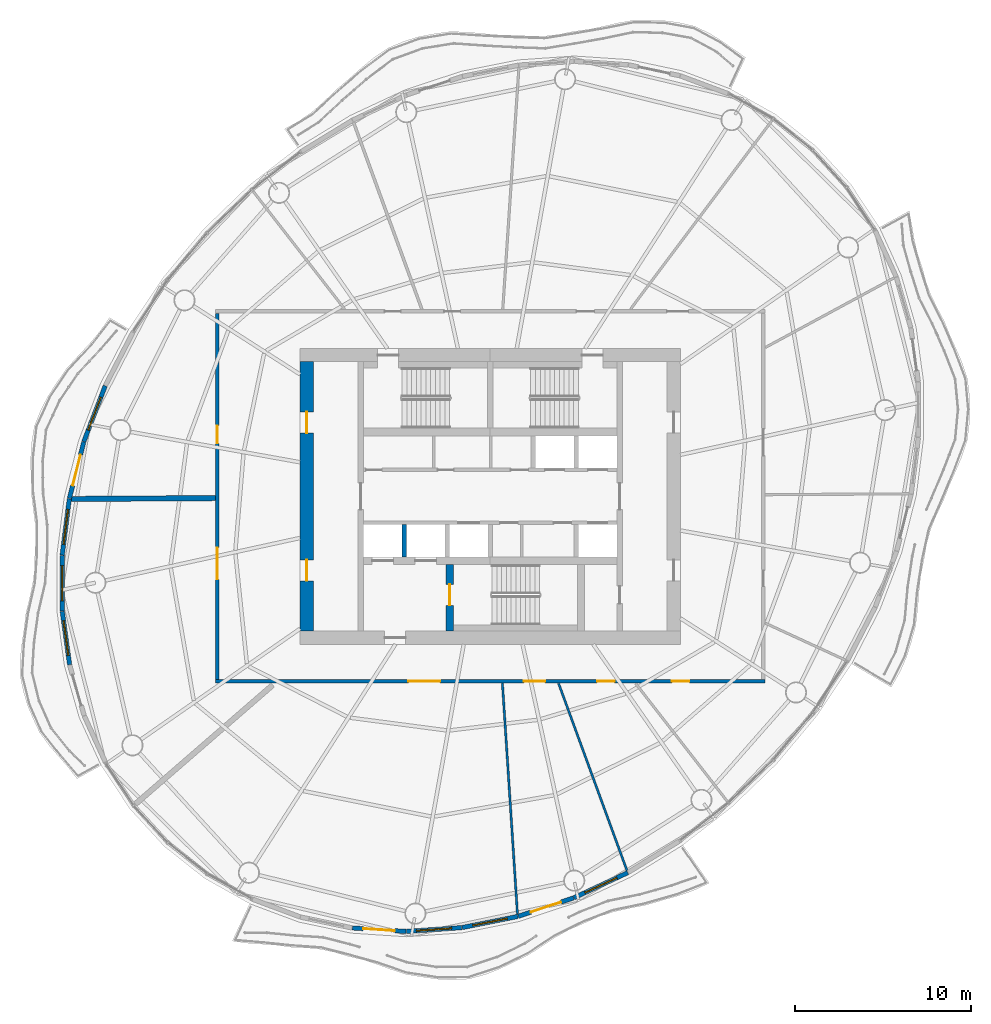
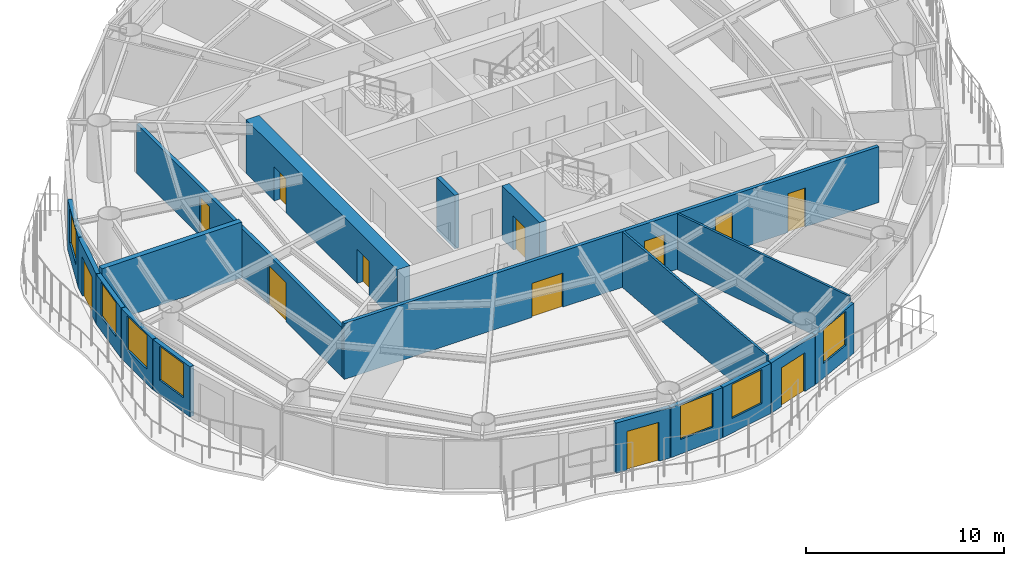
# One storey, part 8 of 15: 18 walls, 12 doors, 7 windows, 19 openings.
"""IFC4 building model written with IfcOpenShell, lengths in metres."""

from ifc_helpers import new_model, si_unit, direction, frame, frame_2d, origin, place, context, subcontext, project, spatial, rectangle, extrude, material, layer, layer_set, type_object, element, fill, save


model = new_model("IFC4")

# Units and contexts
model_context = context("Model", 3, precision=1e-05, world=origin(), true_north=direction((0.0, 1.0)))
body_context = subcontext(model_context, "Body", "Model", "MODEL_VIEW")
ifc_project = project(units=[si_unit("LENGTHUNIT", "METRE"), si_unit("AREAUNIT", "SQUARE_METRE"), si_unit("VOLUMEUNIT", "CUBIC_METRE"), si_unit("PLANEANGLEUNIT", "RADIAN"), si_unit("MASSUNIT", "GRAM", prefix="KILO")], contexts=[model_context])

# Site, building, storey
site_placement = place(None, origin())
site = spatial("IfcSite", under=ifc_project, at=site_placement, CompositionType="ELEMENT")
building_placement = place(site_placement, origin())
building = spatial("IfcBuilding", under=site, at=building_placement, Name="Vermilion Reach Broadcast Tower", CompositionType="ELEMENT")
storey_placement = place(building_placement, frame((0.0, 0.0, 220.89990234375)))
storey = spatial("IfcBuildingStorey", under=building, at=storey_placement, Name="L54", CompositionType="ELEMENT", Elevation=220.89990234375)

# Wall, opening, door
ifc_material_1 = material(Name="Concrete C60", Category="concrete")
ifc_layer_1 = layer(ifc_material_1, 0.39990234375)
ifc_layer_set_1 = layer_set([ifc_layer_1], Name="Core inner wall 400 mm Concrete C60")
wall_type_1 = type_object("IfcWallType", Name="Core inner wall 400 mm Concrete C60", PredefinedType="SHEAR", material=ifc_layer_set_1)
wall_1_placement = place(storey_placement, frame((-8.300048828125, -3.8798828125, 0.0), z_axis=(0.0, 0.0, 1.0), x_axis=(0.0, -1.0, 0.0)))
wall_1 = element("IfcWall", 1, at=wall_1_placement, inside=storey, type_object=wall_type_1, Name="L54 core wall wa", PredefinedType="SHEAR", context=body_context, shape_type="SweptSolid", body=[
    extrude(rectangle(XDim=3.77001953125, YDim=0.39990234375, at=frame_2d((1.885009765625, 0.0))), origin(), (0.0, 0.0, 1.0), 3.300048828125),
])
opening_1_placement = place(wall_1_placement, frame((1.110107421875, 0.0, 0.0)))
opening_1 = element("IfcOpeningElement", 2, at=opening_1_placement, cuts=wall_1, Name="Opening D01", PredefinedType="OPENING", context=body_context, shape_type="SweptSolid", body=[
    extrude(rectangle(XDim=1.199951171875, YDim=2.10009765625, at=frame_2d((0.60009765625, 1.050048828125))), frame((0.0, 0.2099609375, 0.0), z_axis=(0.0, -1.0, 0.0), x_axis=(1.0, 0.0, 0.0)), (0.0, 0.0, 1.0), 0.419921875),
])
ifc_material_2 = material(Name="Painted steel fire door", Category="steel")
door_type_1 = type_object("IfcDoorType", Name="Stair door 1200 x 2100", OperationType="DOUBLE_DOOR_SINGLE_SWING", PredefinedType="NOTDEFINED", material=ifc_material_2)
door_1_placement = place(opening_1_placement, origin())
door_1 = element("IfcDoor", 3, at=door_1_placement, inside=storey, type_object=door_type_1, Name="L54 stair door ST3", OperationType="DOUBLE_DOOR_SINGLE_SWING", OverallHeight=2.10009765625, OverallWidth=1.199951171875, PredefinedType="NOTDEFINED", context=body_context, shape_type="SweptSolid", body=[
    extrude(rectangle(XDim=1.199951171875, YDim=2.10009765625, at=frame_2d((0.60009765625, 1.050048828125))), frame((0.0, 0.02490234375, 0.0), z_axis=(0.0, -1.0, 0.0), x_axis=(1.0, 0.0, 0.0)), (0.0, 0.0, 1.0), 0.050048828125),
])
fill(opening_1, door_1)

# Wall, openings, doors
ifc_material_3 = material(Name="Concrete C60", Category="concrete")
ifc_layer_2 = layer(ifc_material_3, 0.75)
ifc_layer_set_2 = layer_set([ifc_layer_2], Name="Core outer wall 750 mm Concrete C60")
wall_type_2 = type_object("IfcWallType", Name="Core outer wall 750 mm Concrete C60", PredefinedType="SHEAR", material=ifc_layer_set_2)
wall_2_placement = place(storey_placement, frame((-16.425048828125, 7.64990234375, 0.0), z_axis=(0.0, 0.0, 1.0), x_axis=(0.0, -1.0, 0.0)))
wall_2 = element("IfcWall", 4, at=wall_2_placement, inside=storey, type_object=wall_type_2, Name="L54 core wall ow", PredefinedType="SHEAR", context=body_context, shape_type="SweptSolid", body=[
    extrude(rectangle(XDim=15.2998046875, YDim=0.75, at=frame_2d((7.64990234375, 0.0))), origin(), (0.0, 0.0, 1.0), 3.300048828125),
])
opening_2_placement = place(wall_2_placement, frame((11.25, 0.0, 0.0)))
opening_2 = element("IfcOpeningElement", 5, at=opening_2_placement, cuts=wall_2, Name="Opening D03", PredefinedType="OPENING", context=body_context, shape_type="SweptSolid", body=[
    extrude(rectangle(XDim=1.199951171875, YDim=2.10009765625, at=frame_2d((0.60009765625, 1.050048828125))), frame((0.0, 0.385009765625, 0.0), z_axis=(0.0, -1.0, 0.0), x_axis=(1.0, 0.0, 0.0)), (0.0, 0.0, 1.0), 0.77001953125),
])
opening_3_placement = place(wall_2_placement, frame((2.85009765625, 0.0, 0.0)))
opening_3 = element("IfcOpeningElement", 6, at=opening_3_placement, cuts=wall_2, Name="Opening D03", PredefinedType="OPENING", context=body_context, shape_type="SweptSolid", body=[
    extrude(rectangle(XDim=1.199951171875, YDim=2.10009765625, at=frame_2d((0.60009765625, 1.050048828125))), frame((0.0, 0.385009765625, 0.0), z_axis=(0.0, -1.0, 0.0), x_axis=(1.0, 0.0, 0.0)), (0.0, 0.0, 1.0), 0.77001953125),
])
ifc_material_4 = material(Name="Painted steel fire door", Category="steel")
door_type_2 = type_object("IfcDoorType", Name="Core lobby door 1200 x 2100", OperationType="DOUBLE_DOOR_SINGLE_SWING", PredefinedType="NOTDEFINED", material=ifc_material_4)
door_2_placement = place(opening_2_placement, origin())
door_2 = element("IfcDoor", 7, at=door_2_placement, inside=storey, type_object=door_type_2, Name="L54 slot door W0", OperationType="DOUBLE_DOOR_SINGLE_SWING", OverallHeight=2.10009765625, OverallWidth=1.199951171875, PredefinedType="NOTDEFINED", context=body_context, shape_type="SweptSolid", body=[
    extrude(rectangle(XDim=1.199951171875, YDim=2.10009765625, at=frame_2d((0.60009765625, 1.050048828125))), frame((0.0, 0.02490234375, 0.0), z_axis=(0.0, -1.0, 0.0), x_axis=(1.0, 0.0, 0.0)), (0.0, 0.0, 1.0), 0.050048828125),
])
fill(opening_2, door_2)
door_3_placement = place(opening_3_placement, origin())
door_3 = element("IfcDoor", 8, at=door_3_placement, inside=storey, type_object=door_type_2, Name="L54 slot door W1", OperationType="DOUBLE_DOOR_SINGLE_SWING", OverallHeight=2.10009765625, OverallWidth=1.199951171875, PredefinedType="NOTDEFINED", context=body_context, shape_type="SweptSolid", body=[
    extrude(rectangle(XDim=1.199951171875, YDim=2.10009765625, at=frame_2d((0.60009765625, 1.050048828125))), frame((0.0, 0.02490234375, 0.0), z_axis=(0.0, -1.0, 0.0), x_axis=(1.0, 0.0, 0.0)), (0.0, 0.0, 1.0), 0.050048828125),
])
fill(opening_3, door_3)

# Wall
ifc_material_5 = material(Name="Concrete C50", Category="concrete")
ifc_layer_3 = layer(ifc_material_5, 0.25)
ifc_layer_set_3 = layer_set([ifc_layer_3], Name="Core shaft wall 250 mm Concrete C50")
wall_type_3 = type_object("IfcWallType", Name="Core shaft wall 250 mm Concrete C50", PredefinedType="SHEAR", material=ifc_layer_set_3)
wall_3_placement = place(storey_placement, frame((-10.88330078125, -1.60009765625, 0.0), z_axis=(0.0, 0.0, 1.0), x_axis=(0.0, -1.0, 0.0)))
element("IfcWall", 9, at=wall_3_placement, inside=storey, type_object=wall_type_3, Name="L54 core wall psS0", PredefinedType="SHEAR", context=body_context, shape_type="SweptSolid", body=[
    extrude(rectangle(XDim=1.829833984375, YDim=0.25, at=frame_2d((0.9150390625, 0.0))), origin(), (0.0, 0.0, 1.0), 3.300048828125),
])

# Wall, openings, doors
ifc_material_6 = material(Name="Fire-rated gypsum board partition")
ifc_layer_4 = layer(ifc_material_6, 0.199951171875)
ifc_layer_set_4 = layer_set([ifc_layer_4], Name="Corridor wall 200 fire-rated")
wall_type_4 = type_object("IfcWallType", Name="Corridor wall 200 fire-rated", PredefinedType="PARTITIONING", material=ifc_layer_set_4)
wall_4_placement = place(storey_placement, frame((9.60009765625, -10.5, 0.0), z_axis=(0.0, 0.0, 1.0), x_axis=(-1.0, 0.0, 0.0)))
wall_4 = element("IfcWall", 10, at=wall_4_placement, inside=storey, type_object=wall_type_4, Name="Corridor wall 54.S", PredefinedType="PARTITIONING", context=body_context, shape_type="SweptSolid", body=[
    extrude(rectangle(XDim=31.2001953125, YDim=0.199951171875, at=frame_2d((15.60009765625, 0.0))), origin(), (0.0, 0.0, 1.0), 3.4501953125),
])
opening_4_placement = place(wall_4_placement, frame((18.44384765625, 0.0, 0.0)))
opening_4 = element("IfcOpeningElement", 11, at=opening_4_placement, cuts=wall_4, Name="Opening D21", PredefinedType="OPENING", context=body_context, shape_type="SweptSolid", body=[
    extrude(rectangle(XDim=1.800048828125, YDim=2.10009765625, at=frame_2d((0.89990234375, 1.050048828125))), frame((0.0, 0.10986328125, 0.0), z_axis=(0.0, -1.0, 0.0), x_axis=(1.0, 0.0, 0.0)), (0.0, 0.0, 1.0), 0.219970703125),
])
opening_5_placement = place(wall_4_placement, frame((12.486572265625, 0.0, 0.0)))
opening_5 = element("IfcOpeningElement", 12, at=opening_5_placement, cuts=wall_4, Name="Opening D29", PredefinedType="OPENING", context=body_context, shape_type="SweptSolid", body=[
    extrude(rectangle(XDim=1.199951171875, YDim=2.39990234375, at=frame_2d((0.60009765625, 1.199951171875))), frame((0.0, 0.10986328125, 0.0), z_axis=(0.0, -1.0, 0.0), x_axis=(1.0, 0.0, 0.0)), (0.0, 0.0, 1.0), 0.219970703125),
])
opening_6_placement = place(wall_4_placement, frame((8.535888671875, 0.0, 0.0)))
opening_6 = element("IfcOpeningElement", 13, at=opening_6_placement, cuts=wall_4, Name="Opening D23", PredefinedType="OPENING", context=body_context, shape_type="SweptSolid", body=[
    extrude(rectangle(XDim=1.0, YDim=2.39990234375, at=frame_2d((0.5, 1.199951171875))), frame((0.0, 0.10986328125, 0.0), z_axis=(0.0, -1.0, 0.0), x_axis=(1.0, 0.0, 0.0)), (0.0, 0.0, 1.0), 0.219970703125),
])
opening_7_placement = place(wall_4_placement, frame((4.2880859375, 0.0, 0.0)))
opening_7 = element("IfcOpeningElement", 14, at=opening_7_placement, cuts=wall_4, Name="Opening D23", PredefinedType="OPENING", context=body_context, shape_type="SweptSolid", body=[
    extrude(rectangle(XDim=1.0, YDim=2.39990234375, at=frame_2d((0.5, 1.199951171875))), frame((0.0, 0.10986328125, 0.0), z_axis=(0.0, -1.0, 0.0), x_axis=(1.0, 0.0, 0.0)), (0.0, 0.0, 1.0), 0.219970703125),
])
ifc_material_7 = material(Name="Timber door leaf", Category="wood")
door_type_3 = type_object("IfcDoorType", Name="Door pair 1800x2100", OperationType="NOTDEFINED", PredefinedType="DOOR", material=ifc_material_7)
door_4_placement = place(opening_4_placement, origin())
door_4 = element("IfcDoor", 15, at=door_4_placement, inside=storey, type_object=door_type_3, Name="Door 54.06", OperationType="DOUBLE_DOOR_SINGLE_SWING", OverallHeight=2.10009765625, OverallWidth=1.800048828125, PredefinedType="DOOR", context=body_context, shape_type="SweptSolid", body=[
    extrude(rectangle(XDim=1.800048828125, YDim=2.10009765625, at=frame_2d((0.89990234375, 1.050048828125))), frame((0.0, 0.02490234375, 0.0), z_axis=(0.0, -1.0, 0.0), x_axis=(1.0, 0.0, 0.0)), (0.0, 0.0, 1.0), 0.050048828125),
])
fill(opening_4, door_4)
ifc_material_8 = material(Name="Veneered timber door leaf", Category="wood")
door_type_4 = type_object("IfcDoorType", Name="Door single 1000x2400", OperationType="NOTDEFINED", PredefinedType="DOOR", material=ifc_material_8)
door_5_placement = place(opening_6_placement, origin())
door_5 = element("IfcDoor", 16, at=door_5_placement, inside=storey, type_object=door_type_4, Name="Door 54.08", OperationType="SINGLE_SWING_LEFT", OverallHeight=2.39990234375, OverallWidth=1.0, PredefinedType="DOOR", context=body_context, shape_type="SweptSolid", body=[
    extrude(rectangle(XDim=1.0, YDim=2.39990234375, at=frame_2d((0.5, 1.199951171875))), frame((0.0, 0.02490234375, 0.0), z_axis=(0.0, -1.0, 0.0), x_axis=(1.0, 0.0, 0.0)), (0.0, 0.0, 1.0), 0.050048828125),
])
fill(opening_6, door_5)
door_6_placement = place(opening_7_placement, origin())
door_6 = element("IfcDoor", 17, at=door_6_placement, inside=storey, type_object=door_type_4, Name="Door 54.09", OperationType="SINGLE_SWING_RIGHT", OverallHeight=2.39990234375, OverallWidth=1.0, PredefinedType="DOOR", context=body_context, shape_type="SweptSolid", body=[
    extrude(rectangle(XDim=1.0, YDim=2.39990234375, at=frame_2d((0.5, 1.199951171875))), frame((0.0, 0.02490234375, 0.0), z_axis=(0.0, -1.0, 0.0), x_axis=(1.0, 0.0, 0.0)), (0.0, 0.0, 1.0), 0.050048828125),
])
fill(opening_7, door_6)
ifc_material_9 = material(Name="Veneered timber door leaf", Category="wood")
door_type_5 = type_object("IfcDoorType", Name="Door single 1200x2400", OperationType="NOTDEFINED", PredefinedType="DOOR", material=ifc_material_9)
door_7_placement = place(opening_5_placement, origin())
door_7 = element("IfcDoor", 18, at=door_7_placement, inside=storey, type_object=door_type_5, Name="Door 54.07", OperationType="SINGLE_SWING_LEFT", OverallHeight=2.39990234375, OverallWidth=1.199951171875, PredefinedType="DOOR", context=body_context, shape_type="SweptSolid", body=[
    extrude(rectangle(XDim=1.199951171875, YDim=2.39990234375, at=frame_2d((0.60009765625, 1.199951171875))), frame((0.0, 0.02490234375, 0.0), z_axis=(0.0, -1.0, 0.0), x_axis=(1.0, 0.0, 0.0)), (0.0, 0.0, 1.0), 0.050048828125),
])
fill(opening_5, door_7)

# Walls
ifc_material_10 = material(Name="Fire-rated plasterboard on steel stud", Category="steel")
ifc_layer_5 = layer(ifc_material_10, 0.125)
ifc_layer_set_5 = layer_set([ifc_layer_5], Name="Partition 125 fire-rated stud")
wall_type_5 = type_object("IfcWallType", Name="Partition 125 fire-rated stud", PredefinedType="PARTITIONING", material=ifc_layer_set_5)
wall_5_placement = place(storey_placement, frame((-4.45458984375, -23.726806640625, 0.0), z_axis=(0.0, 0.0, 1.0), x_axis=(-0.064995948595, 0.997885527837, 0.0)))
element("IfcWall", 19, at=wall_5_placement, inside=storey, type_object=wall_type_5, Name="Partition 54.07", PredefinedType="PARTITIONING", context=body_context, shape_type="SweptSolid", body=[
    extrude(rectangle(XDim=13.150634765625, YDim=0.125, at=frame_2d((6.5751953125, 0.0))), origin(), (0.0, 0.0, 1.0), 3.4501953125),
])
wall_6_placement = place(storey_placement, frame((1.764892578125, -21.2490234375, 0.0), z_axis=(0.0, 0.0, 1.0), x_axis=(-0.343220407619, 0.939254891813, 0.0)))
element("IfcWall", 20, at=wall_6_placement, inside=storey, type_object=wall_type_5, Name="Partition 54.08", PredefinedType="PARTITIONING", context=body_context, shape_type="SweptSolid", body=[
    extrude(rectangle(XDim=11.31494140625, YDim=0.125, at=frame_2d((5.657470703125, 0.0))), origin(), (0.0, 0.0, 1.0), 3.4501953125),
])
ifc_material_11 = material(Name="Double-leaf plasterboard on isolated steel stud", Category="steel")
ifc_layer_6 = layer(ifc_material_11, 0.300048828125)
ifc_layer_set_6 = layer_set([ifc_layer_6], Name="Partition 300 acoustic double leaf")
wall_type_6 = type_object("IfcWallType", Name="Partition 300 acoustic double leaf", PredefinedType="PARTITIONING", material=ifc_layer_set_6)
wall_7_placement = place(storey_placement, frame((-29.77685546875, -0.146728515625, 0.0), z_axis=(0.0, 0.0, 1.0), x_axis=(0.999980897338, 0.006181016028, 0.0)))
element("IfcWall", 21, at=wall_7_placement, inside=storey, type_object=wall_type_6, Name="Partition 54.05", PredefinedType="PARTITIONING", context=body_context, shape_type="SweptSolid", body=[
    extrude(rectangle(XDim=8.17626953125, YDim=0.300048828125, at=frame_2d((4.088134765625, 0.0))), origin(), (0.0, 0.0, 1.0), 3.4501953125),
])

# Wall, opening, window
ifc_material_12 = material(Name="Terracotta rainscreen cladding", Category="masonry")
ifc_layer_7 = layer(ifc_material_12, 0.25)
ifc_layer_set_7 = layer_set([ifc_layer_7], Name="Terracotta rainscreen wall 250")
wall_type_7 = type_object("IfcWallType", Name="Terracotta rainscreen wall 250", PredefinedType="SOLIDWALL", material=ifc_layer_set_7)
wall_8_placement = place(storey_placement, frame((-27.86572265625, 6.274169921875, 0.0), z_axis=(0.0, 0.0, 1.0), x_axis=(-0.35762850613, -0.933863936343, 0.0)))
wall_8 = element("IfcWall", 22, at=wall_8_placement, inside=storey, type_object=wall_type_7, Name="External wall L54 15", PredefinedType="SOLIDWALL", context=body_context, shape_type="SweptSolid", body=[
    extrude(rectangle(XDim=3.380615234375, YDim=0.25, at=frame_2d((1.6904296875, 0.0))), origin(), (0.0, 0.0, 1.0), 3.10009765625),
])
opening_8_placement = place(wall_8_placement, frame((0.690185546875, 0.0, 0.89990234375)))
opening_8 = element("IfcOpeningElement", 23, at=opening_8_placement, cuts=wall_8, Name="Opening W03", PredefinedType="OPENING", context=body_context, shape_type="SweptSolid", body=[
    extrude(rectangle(XDim=2.0, YDim=2.10009765625, at=frame_2d((1.0, 1.050048828125))), frame((0.0, 0.135009765625, 0.0), z_axis=(0.0, -1.0, 0.0), x_axis=(1.0, 0.0, 0.0)), (0.0, 0.0, 1.0), 0.27001953125),
])
ifc_material_13 = material(Name="Low-e laminated clear glass in aluminium frame", Category="aluminium")
window_type = type_object("IfcWindowType", Name="Punched window 2000 x 2100 sill 900", PartitioningType="SINGLE_PANEL", PredefinedType="WINDOW", material=ifc_material_13)
window_1_placement = place(opening_8_placement, origin())
window_1 = element("IfcWindow", 24, at=window_1_placement, inside=storey, type_object=window_type, Name="Window L54 15", OverallHeight=2.10009765625, OverallWidth=2.0, PartitioningType="SINGLE_PANEL", PredefinedType="WINDOW", context=body_context, shape_type="SweptSolid", body=[
    extrude(rectangle(XDim=2.0, YDim=2.10009765625, at=frame_2d((1.0, 1.050048828125))), frame((0.0, 0.030029296875, 0.0), z_axis=(0.0, -1.0, 0.0), x_axis=(1.0, 0.0, 0.0)), (0.0, 0.0, 1.0), 0.06005859375),
])
fill(opening_8, window_1)

# Wall, opening, door
wall_9_placement = place(storey_placement, frame((-29.08154296875, 3.095703125, 0.0), z_axis=(0.0, 0.0, 1.0), x_axis=(-0.246300133035, -0.969193605255, 0.0)))
wall_9 = element("IfcWall", 25, at=wall_9_placement, inside=storey, type_object=wall_type_7, Name="External wall L54 16", PredefinedType="SOLIDWALL", context=body_context, shape_type="SweptSolid", body=[
    extrude(rectangle(XDim=3.309814453125, YDim=0.25, at=frame_2d((1.65478515625, 0.0))), origin(), (0.0, 0.0, 1.0), 3.10009765625),
])
opening_9_placement = place(wall_9_placement, frame((0.7548828125, 0.0, 0.0)))
opening_9 = element("IfcOpeningElement", 26, at=opening_9_placement, cuts=wall_9, Name="Opening D70", PredefinedType="OPENING", context=body_context, shape_type="SweptSolid", body=[
    extrude(rectangle(XDim=1.800048828125, YDim=2.39990234375, at=frame_2d((0.89990234375, 1.199951171875))), frame((0.0, 0.135009765625, 0.0), z_axis=(0.0, -1.0, 0.0), x_axis=(1.0, 0.0, 0.0)), (0.0, 0.0, 1.0), 0.27001953125),
])
ifc_material_14 = material(Name="Low-e laminated clear glass in aluminium frame", Category="aluminium")
door_type_6 = type_object("IfcDoorType", Name="Balcony sliding door 1800 x 2400", OperationType="DOUBLE_DOOR_SLIDING", PredefinedType="DOOR", material=ifc_material_14)
door_8_placement = place(opening_9_placement, origin())
door_8 = element("IfcDoor", 27, at=door_8_placement, inside=storey, type_object=door_type_6, Name="Balcony door L54 run 04", OperationType="DOUBLE_DOOR_SLIDING", OverallHeight=2.39990234375, OverallWidth=1.800048828125, PredefinedType="DOOR", context=body_context, shape_type="SweptSolid", body=[
    extrude(rectangle(XDim=1.800048828125, YDim=2.39990234375, at=frame_2d((0.89990234375, 1.199951171875))), frame((0.0, 0.02490234375, 0.0), z_axis=(0.0, -1.0, 0.0), x_axis=(1.0, 0.0, 0.0)), (0.0, 0.0, 1.0), 0.050048828125),
])
fill(opening_9, door_8)

# Wall, opening, window
wall_10_placement = place(storey_placement, frame((-29.90087890625, -0.134765625, 0.0), z_axis=(0.0, 0.0, 1.0), x_axis=(-0.126351687355, -0.991985509522, 0.0)))
wall_10 = element("IfcWall", 28, at=wall_10_placement, inside=storey, type_object=wall_type_7, Name="External wall L54 17", PredefinedType="SOLIDWALL", context=body_context, shape_type="SweptSolid", body=[
    extrude(rectangle(XDim=3.228759765625, YDim=0.25, at=frame_2d((1.6142578125, 0.0))), origin(), (0.0, 0.0, 1.0), 3.10009765625),
])
opening_10_placement = place(wall_10_placement, frame((0.6142578125, 0.0, 0.89990234375)))
opening_10 = element("IfcOpeningElement", 29, at=opening_10_placement, cuts=wall_10, Name="Opening W03", PredefinedType="OPENING", context=body_context, shape_type="SweptSolid", body=[
    extrude(rectangle(XDim=2.0, YDim=2.10009765625, at=frame_2d((1.0, 1.050048828125))), frame((0.0, 0.135009765625, 0.0), z_axis=(0.0, -1.0, 0.0), x_axis=(1.0, 0.0, 0.0)), (0.0, 0.0, 1.0), 0.27001953125),
])
window_2_placement = place(opening_10_placement, origin())
window_2 = element("IfcWindow", 30, at=window_2_placement, inside=storey, type_object=window_type, Name="Window L54 17", OverallHeight=2.10009765625, OverallWidth=2.0, PartitioningType="SINGLE_PANEL", PredefinedType="WINDOW", context=body_context, shape_type="SweptSolid", body=[
    extrude(rectangle(XDim=2.0, YDim=2.10009765625, at=frame_2d((1.0, 1.050048828125))), frame((0.0, 0.030029296875, 0.0), z_axis=(0.0, -1.0, 0.0), x_axis=(1.0, 0.0, 0.0)), (0.0, 0.0, 1.0), 0.06005859375),
])
fill(opening_10, window_2)

wall_11_placement = place(storey_placement, frame((-30.310302734375, -3.361572265625, 0.0), z_axis=(0.0, 0.0, 1.0), x_axis=(0.001631445933, -0.999998669191, 0.0)))
wall_11 = element("IfcWall", 31, at=wall_11_placement, inside=storey, type_object=wall_type_7, Name="External wall L54 18", PredefinedType="SOLIDWALL", context=body_context, shape_type="SweptSolid", body=[
    extrude(rectangle(XDim=3.142578125, YDim=0.25, at=frame_2d((1.5712890625, 0.0))), origin(), (0.0, 0.0, 1.0), 3.10009765625),
])
opening_11_placement = place(wall_11_placement, frame((0.5712890625, 0.0, 0.89990234375)))
opening_11 = element("IfcOpeningElement", 32, at=opening_11_placement, cuts=wall_11, Name="Opening W03", PredefinedType="OPENING", context=body_context, shape_type="SweptSolid", body=[
    extrude(rectangle(XDim=2.0, YDim=2.10009765625, at=frame_2d((1.0, 1.050048828125))), frame((0.0, 0.135009765625, 0.0), z_axis=(0.0, -1.0, 0.0), x_axis=(1.0, 0.0, 0.0)), (0.0, 0.0, 1.0), 0.27001953125),
])
window_3_placement = place(opening_11_placement, origin())
window_3 = element("IfcWindow", 33, at=window_3_placement, inside=storey, type_object=window_type, Name="Window L54 18", OverallHeight=2.10009765625, OverallWidth=2.0, PartitioningType="SINGLE_PANEL", PredefinedType="WINDOW", context=body_context, shape_type="SweptSolid", body=[
    extrude(rectangle(XDim=2.0, YDim=2.10009765625, at=frame_2d((1.0, 1.050048828125))), frame((0.0, 0.030029296875, 0.0), z_axis=(0.0, -1.0, 0.0), x_axis=(1.0, 0.0, 0.0)), (0.0, 0.0, 1.0), 0.06005859375),
])
fill(opening_11, window_3)

wall_12_placement = place(storey_placement, frame((-30.303466796875, -6.52880859375, 0.0), z_axis=(0.0, 0.0, 1.0), x_axis=(0.136556327804, -0.99063230784, 0.0)))
wall_12 = element("IfcWall", 34, at=wall_12_placement, inside=storey, type_object=wall_type_7, Name="External wall L54 19", PredefinedType="SOLIDWALL", context=body_context, shape_type="SweptSolid", body=[
    extrude(rectangle(XDim=3.05712890625, YDim=0.25, at=frame_2d((1.528564453125, 0.0))), origin(), (0.0, 0.0, 1.0), 3.10009765625),
])
opening_12_placement = place(wall_12_placement, frame((0.528564453125, 0.0, 0.89990234375)))
opening_12 = element("IfcOpeningElement", 35, at=opening_12_placement, cuts=wall_12, Name="Opening W03", PredefinedType="OPENING", context=body_context, shape_type="SweptSolid", body=[
    extrude(rectangle(XDim=2.0, YDim=2.10009765625, at=frame_2d((1.0, 1.050048828125))), frame((0.0, 0.135009765625, 0.0), z_axis=(0.0, -1.0, 0.0), x_axis=(1.0, 0.0, 0.0)), (0.0, 0.0, 1.0), 0.27001953125),
])
window_4_placement = place(opening_12_placement, origin())
window_4 = element("IfcWindow", 36, at=window_4_placement, inside=storey, type_object=window_type, Name="Window L54 19", OverallHeight=2.10009765625, OverallWidth=2.0, PartitioningType="SINGLE_PANEL", PredefinedType="WINDOW", context=body_context, shape_type="SweptSolid", body=[
    extrude(rectangle(XDim=2.0, YDim=2.10009765625, at=frame_2d((1.0, 1.050048828125))), frame((0.0, 0.030029296875, 0.0), z_axis=(0.0, -1.0, 0.0), x_axis=(1.0, 0.0, 0.0)), (0.0, 0.0, 1.0), 0.06005859375),
])
fill(opening_12, window_4)

# Wall, opening, door
wall_13_placement = place(storey_placement, frame((-13.83349609375, -24.505615234375, 0.0), z_axis=(0.0, 0.0, 1.0), x_axis=(0.997842734826, -0.065649650074, 0.0)))
wall_13 = element("IfcWall", 37, at=wall_13_placement, inside=storey, type_object=wall_type_7, Name="External wall L54 28", PredefinedType="SOLIDWALL", context=body_context, shape_type="SweptSolid", body=[
    extrude(rectangle(XDim=3.056884765625, YDim=0.25, at=frame_2d((1.5283203125, 0.0))), origin(), (0.0, 0.0, 1.0), 3.10009765625),
])
opening_13_placement = place(wall_13_placement, frame((0.6279296875, 0.0, 0.0)))
opening_13 = element("IfcOpeningElement", 38, at=opening_13_placement, cuts=wall_13, Name="Opening D70", PredefinedType="OPENING", context=body_context, shape_type="SweptSolid", body=[
    extrude(rectangle(XDim=1.800048828125, YDim=2.39990234375, at=frame_2d((0.89990234375, 1.199951171875))), frame((0.0, 0.135009765625, 0.0), z_axis=(0.0, -1.0, 0.0), x_axis=(1.0, 0.0, 0.0)), (0.0, 0.0, 1.0), 0.27001953125),
])
door_9_placement = place(opening_13_placement, origin())
door_9 = element("IfcDoor", 39, at=door_9_placement, inside=storey, type_object=door_type_6, Name="Balcony door L54 run 07", OperationType="DOUBLE_DOOR_SLIDING", OverallHeight=2.39990234375, OverallWidth=1.800048828125, PredefinedType="DOOR", context=body_context, shape_type="SweptSolid", body=[
    extrude(rectangle(XDim=1.800048828125, YDim=2.39990234375, at=frame_2d((0.89990234375, 1.199951171875))), frame((0.0, 0.02490234375, 0.0), z_axis=(0.0, -1.0, 0.0), x_axis=(1.0, 0.0, 0.0)), (0.0, 0.0, 1.0), 0.050048828125),
])
fill(opening_13, door_9)

# Wall, opening, window
wall_14_placement = place(storey_placement, frame((-10.75830078125, -24.706298828125, 0.0), z_axis=(0.0, 0.0, 1.0), x_axis=(0.997585250628, 0.069452629395, 0.0)))
wall_14 = element("IfcWall", 40, at=wall_14_placement, inside=storey, type_object=wall_type_7, Name="External wall L54 29", PredefinedType="SOLIDWALL", context=body_context, shape_type="SweptSolid", body=[
    extrude(rectangle(XDim=3.142578125, YDim=0.25, at=frame_2d((1.5712890625, 0.0))), origin(), (0.0, 0.0, 1.0), 3.10009765625),
])
opening_14_placement = place(wall_14_placement, frame((0.5712890625, 0.0, 0.89990234375)))
opening_14 = element("IfcOpeningElement", 41, at=opening_14_placement, cuts=wall_14, Name="Opening W03", PredefinedType="OPENING", context=body_context, shape_type="SweptSolid", body=[
    extrude(rectangle(XDim=2.0, YDim=2.10009765625, at=frame_2d((1.0, 1.050048828125))), frame((0.0, 0.135009765625, 0.0), z_axis=(0.0, -1.0, 0.0), x_axis=(1.0, 0.0, 0.0)), (0.0, 0.0, 1.0), 0.27001953125),
])
window_5_placement = place(opening_14_placement, origin())
window_5 = element("IfcWindow", 42, at=window_5_placement, inside=storey, type_object=window_type, Name="Window L54 29", OverallHeight=2.10009765625, OverallWidth=2.0, PartitioningType="SINGLE_PANEL", PredefinedType="WINDOW", context=body_context, shape_type="SweptSolid", body=[
    extrude(rectangle(XDim=2.0, YDim=2.10009765625, at=frame_2d((1.0, 1.050048828125))), frame((0.0, 0.030029296875, 0.0), z_axis=(0.0, -1.0, 0.0), x_axis=(1.0, 0.0, 0.0)), (0.0, 0.0, 1.0), 0.06005859375),
])
fill(opening_14, window_5)

wall_15_placement = place(storey_placement, frame((-7.599609375, -24.48486328125, 0.0), z_axis=(0.0, 0.0, 1.0), x_axis=(0.980484586875, 0.19659596868, 0.0)))
wall_15 = element("IfcWall", 43, at=wall_15_placement, inside=storey, type_object=wall_type_7, Name="External wall L54 30", PredefinedType="SOLIDWALL", context=body_context, shape_type="SweptSolid", body=[
    extrude(rectangle(XDim=3.228759765625, YDim=0.25, at=frame_2d((1.6142578125, 0.0))), origin(), (0.0, 0.0, 1.0), 3.10009765625),
])
opening_15_placement = place(wall_15_placement, frame((0.6142578125, 0.0, 0.89990234375)))
opening_15 = element("IfcOpeningElement", 44, at=opening_15_placement, cuts=wall_15, Name="Opening W03", PredefinedType="OPENING", context=body_context, shape_type="SweptSolid", body=[
    extrude(rectangle(XDim=2.0, YDim=2.10009765625, at=frame_2d((1.0, 1.050048828125))), frame((0.0, 0.135009765625, 0.0), z_axis=(0.0, -1.0, 0.0), x_axis=(1.0, 0.0, 0.0)), (0.0, 0.0, 1.0), 0.27001953125),
])
window_6_placement = place(opening_15_placement, origin())
window_6 = element("IfcWindow", 45, at=window_6_placement, inside=storey, type_object=window_type, Name="Window L54 30", OverallHeight=2.10009765625, OverallWidth=2.0, PartitioningType="SINGLE_PANEL", PredefinedType="WINDOW", context=body_context, shape_type="SweptSolid", body=[
    extrude(rectangle(XDim=2.0, YDim=2.10009765625, at=frame_2d((1.0, 1.050048828125))), frame((0.0, 0.030029296875, 0.0), z_axis=(0.0, -1.0, 0.0), x_axis=(1.0, 0.0, 0.0)), (0.0, 0.0, 1.0), 0.06005859375),
])
fill(opening_15, window_6)

# Wall, opening, door
wall_16_placement = place(storey_placement, frame((-4.411376953125, -23.843994140625, 0.0), z_axis=(0.0, 0.0, 1.0), x_axis=(0.949220414117, 0.314611832935, 0.0)))
wall_16 = element("IfcWall", 46, at=wall_16_placement, inside=storey, type_object=wall_type_7, Name="External wall L54 31", PredefinedType="SOLIDWALL", context=body_context, shape_type="SweptSolid", body=[
    extrude(rectangle(XDim=3.3095703125, YDim=0.25, at=frame_2d((1.65478515625, 0.0))), origin(), (0.0, 0.0, 1.0), 3.10009765625),
])
opening_16_placement = place(wall_16_placement, frame((0.7548828125, 0.0, 0.0)))
opening_16 = element("IfcOpeningElement", 47, at=opening_16_placement, cuts=wall_16, Name="Opening D70", PredefinedType="OPENING", context=body_context, shape_type="SweptSolid", body=[
    extrude(rectangle(XDim=1.800048828125, YDim=2.39990234375, at=frame_2d((0.89990234375, 1.199951171875))), frame((0.0, 0.135009765625, 0.0), z_axis=(0.0, -1.0, 0.0), x_axis=(1.0, 0.0, 0.0)), (0.0, 0.0, 1.0), 0.27001953125),
])
door_10_placement = place(opening_16_placement, origin())
door_10 = element("IfcDoor", 48, at=door_10_placement, inside=storey, type_object=door_type_6, Name="Balcony door L54 run 08", OperationType="DOUBLE_DOOR_SLIDING", OverallHeight=2.39990234375, OverallWidth=1.800048828125, PredefinedType="DOOR", context=body_context, shape_type="SweptSolid", body=[
    extrude(rectangle(XDim=1.800048828125, YDim=2.39990234375, at=frame_2d((0.89990234375, 1.199951171875))), frame((0.0, 0.02490234375, 0.0), z_axis=(0.0, -1.0, 0.0), x_axis=(1.0, 0.0, 0.0)), (0.0, 0.0, 1.0), 0.050048828125),
])
fill(opening_16, door_10)

# Wall, opening, window
wall_17_placement = place(storey_placement, frame((-1.248779296875, -22.79443359375, 0.0), z_axis=(0.0, 0.0, 1.0), x_axis=(0.906026245015, 0.42322150624, 0.0)))
wall_17 = element("IfcWall", 49, at=wall_17_placement, inside=storey, type_object=wall_type_7, Name="External wall L54 32", PredefinedType="SOLIDWALL", context=body_context, shape_type="SweptSolid", body=[
    extrude(rectangle(XDim=3.38037109375, YDim=0.25, at=frame_2d((1.690185546875, 0.0))), origin(), (0.0, 0.0, 1.0), 3.10009765625),
])
opening_17_placement = place(wall_17_placement, frame((0.690185546875, 0.0, 0.89990234375)))
opening_17 = element("IfcOpeningElement", 50, at=opening_17_placement, cuts=wall_17, Name="Opening W03", PredefinedType="OPENING", context=body_context, shape_type="SweptSolid", body=[
    extrude(rectangle(XDim=2.0, YDim=2.10009765625, at=frame_2d((1.0, 1.050048828125))), frame((0.0, 0.135009765625, 0.0), z_axis=(0.0, -1.0, 0.0), x_axis=(1.0, 0.0, 0.0)), (0.0, 0.0, 1.0), 0.27001953125),
])
window_7_placement = place(opening_17_placement, origin())
window_7 = element("IfcWindow", 51, at=window_7_placement, inside=storey, type_object=window_type, Name="Window L54 32", OverallHeight=2.10009765625, OverallWidth=2.0, PartitioningType="SINGLE_PANEL", PredefinedType="WINDOW", context=body_context, shape_type="SweptSolid", body=[
    extrude(rectangle(XDim=2.0, YDim=2.10009765625, at=frame_2d((1.0, 1.050048828125))), frame((0.0, 0.030029296875, 0.0), z_axis=(0.0, -1.0, 0.0), x_axis=(1.0, 0.0, 0.0)), (0.0, 0.0, 1.0), 0.06005859375),
])
fill(opening_17, window_7)

# Wall, openings, doors
ifc_material_15 = material(Name="Fire-rated gypsum board partition")
ifc_layer_8 = layer(ifc_material_15, 0.199951171875)
ifc_layer_set_8 = layer_set([ifc_layer_8], Name="Under girder: Corridor wall 200 fire-rated")
wall_type_8 = type_object("IfcWallType", Name="Under girder: Corridor wall 200 fire-rated", PredefinedType="PARTITIONING", material=ifc_layer_set_8)
wall_18_placement = place(storey_placement, frame((-21.5, -10.39990234375, 0.0), z_axis=(0.0, 0.0, 1.0), x_axis=(0.0, 1.0, 0.0)))
wall_18 = element("IfcWall", 52, at=wall_18_placement, inside=storey, type_object=wall_type_8, Name="Corridor wall 54.W", PredefinedType="PARTITIONING", context=body_context, shape_type="SweptSolid", body=[
    extrude(rectangle(XDim=20.7998046875, YDim=0.199951171875, at=frame_2d((10.39990234375, 0.0))), origin(), (0.0, 0.0, 1.0), 3.050048828125),
])
opening_18_placement = place(wall_18_placement, frame((13.41259765625, 0.0, 0.0)))
opening_18 = element("IfcOpeningElement", 53, at=opening_18_placement, cuts=wall_18, Name="Opening D23", PredefinedType="OPENING", context=body_context, shape_type="SweptSolid", body=[
    extrude(rectangle(XDim=1.0, YDim=2.39990234375, at=frame_2d((0.5, 1.199951171875))), frame((0.0, 0.10986328125, 0.0), z_axis=(0.0, -1.0, 0.0), x_axis=(1.0, 0.0, 0.0)), (0.0, 0.0, 1.0), 0.219970703125),
])
opening_19_placement = place(wall_18_placement, frame((5.692626953125, 0.0, 0.0)))
opening_19 = element("IfcOpeningElement", 54, at=opening_19_placement, cuts=wall_18, Name="Opening D27", PredefinedType="OPENING", context=body_context, shape_type="SweptSolid", body=[
    extrude(rectangle(XDim=1.800048828125, YDim=2.39990234375, at=frame_2d((0.89990234375, 1.199951171875))), frame((0.0, 0.10986328125, 0.0), z_axis=(0.0, -1.0, 0.0), x_axis=(1.0, 0.0, 0.0)), (0.0, 0.0, 1.0), 0.219970703125),
])
ifc_material_16 = material(Name="Acoustic timber door leaf", Category="wood")
door_type_7 = type_object("IfcDoorType", Name="Door pair 1800x2400", OperationType="NOTDEFINED", PredefinedType="DOOR", material=ifc_material_16)
door_11_placement = place(opening_19_placement, origin())
door_11 = element("IfcDoor", 55, at=door_11_placement, inside=storey, type_object=door_type_7, Name="Door 54.05", OperationType="DOUBLE_DOOR_SINGLE_SWING", OverallHeight=2.39990234375, OverallWidth=1.800048828125, PredefinedType="DOOR", context=body_context, shape_type="SweptSolid", body=[
    extrude(rectangle(XDim=1.800048828125, YDim=2.39990234375, at=frame_2d((0.89990234375, 1.199951171875))), frame((0.0, 0.02490234375, 0.0), z_axis=(0.0, -1.0, 0.0), x_axis=(1.0, 0.0, 0.0)), (0.0, 0.0, 1.0), 0.050048828125),
])
fill(opening_19, door_11)
door_12_placement = place(opening_18_placement, origin())
door_12 = element("IfcDoor", 56, at=door_12_placement, inside=storey, type_object=door_type_4, Name="Door 54.04", OperationType="SINGLE_SWING_LEFT", OverallHeight=2.39990234375, OverallWidth=1.0, PredefinedType="DOOR", context=body_context, shape_type="SweptSolid", body=[
    extrude(rectangle(XDim=1.0, YDim=2.39990234375, at=frame_2d((0.5, 1.199951171875))), frame((0.0, 0.02490234375, 0.0), z_axis=(0.0, -1.0, 0.0), x_axis=(1.0, 0.0, 0.0)), (0.0, 0.0, 1.0), 0.050048828125),
])
fill(opening_18, door_12)

save(model, "model.ifc")
